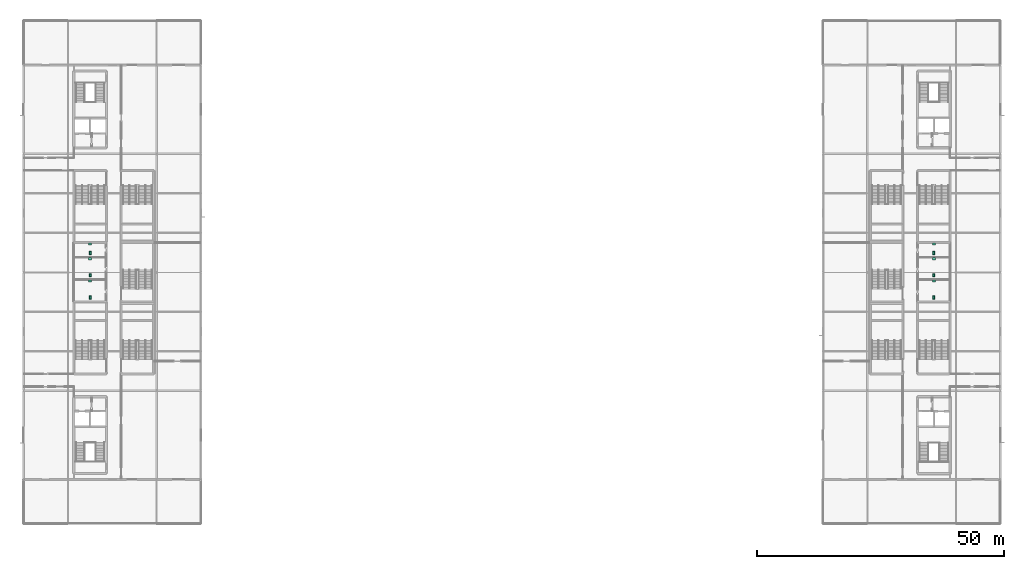
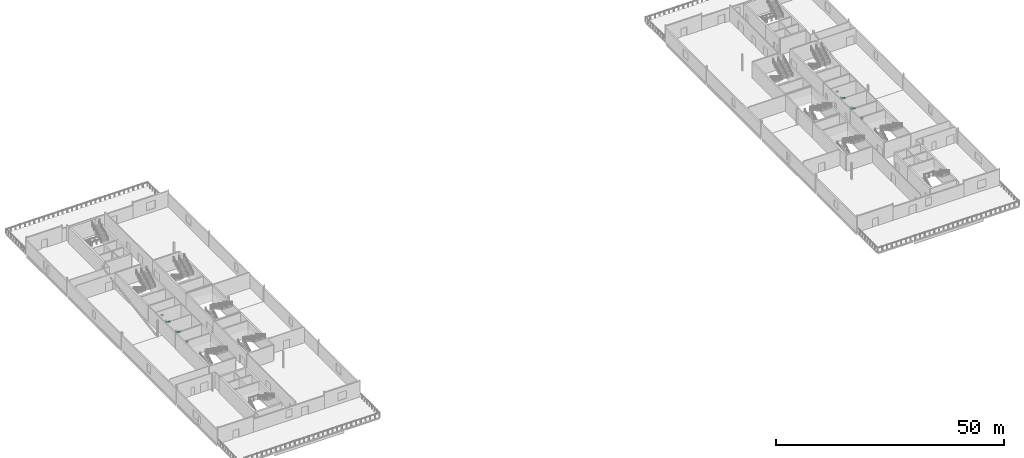
# One storey, part 28 of 28: 12 sanitary terminals.
"""IFC4 building model written with IfcOpenShell, lengths in metres."""

from ifc_helpers import new_model, si_unit, direction, frame, origin, origin_2d, place, context, subcontext, project, spatial, rectangle, extrude, material, type_object, element, save


model = new_model("IFC4")

# Units and contexts
model_context = context("Model", 3, precision=1e-05, world=origin(), true_north=direction((0.0, 1.0)))
body_context = subcontext(model_context, "Body", "Model", "MODEL_VIEW")
ifc_project = project(units=[si_unit("LENGTHUNIT", "METRE"), si_unit("AREAUNIT", "SQUARE_METRE"), si_unit("VOLUMEUNIT", "CUBIC_METRE"), si_unit("PLANEANGLEUNIT", "RADIAN"), si_unit("MASSUNIT", "GRAM", prefix="KILO")], contexts=[model_context])

# Site, building, storey
site_placement = place(None, origin())
site = spatial("IfcSite", under=ifc_project, at=site_placement, CompositionType="ELEMENT")
building_placement = place(site_placement, origin())
building = spatial("IfcBuilding", under=site, at=building_placement, Name="Kisiwana Market Hall", CompositionType="ELEMENT")
storey_placement = place(building_placement, frame((0.0, 0.0, 49.5)))
storey = spatial("IfcBuildingStorey", under=building, at=storey_placement, Name="L11", CompositionType="ELEMENT", Elevation=49.5)

# Sanitary terminals
ifc_material_1 = material(Name="Vitreous china")
sanitary_terminal_type_1 = type_object("IfcSanitaryTerminalType", Name="SAN-BASIN", PredefinedType="WASHHANDBASIN", material=ifc_material_1)
for number, where, z_axis, x_axis, name in (
    (1, (13.5, 58.25, 0.68017578125), (0.0, 0.0, 1.0), (1.0, 0.0, 0.0), "Washhand basin L11-0073"),
    (2, (13.5, 62.75, 0.68017578125), (0.0, 0.0, 1.0), (1.0, 0.0, 0.0), "Washhand basin L11-0074"),
    (3, (13.5, 65.75, 0.68017578125), (0.0, 0.0, 1.0), (1.0, 0.0, 0.0), "Washhand basin L11-0075"),
    (4, (184.5, 58.25, 0.68017578125), (0.0, 0.0, 1.0), (1.0, 0.0, 0.0), "Washhand basin L11-0076"),
    (5, (184.5, 62.75, 0.68017578125), (0.0, 0.0, 1.0), (1.0, 0.0, 0.0), "Washhand basin L11-0077"),
    (6, (184.5, 65.75, 0.68017578125), (0.0, 0.0, 1.0), (1.0, 0.0, 0.0), "Washhand basin L11-0078"),
):
    element("IfcSanitaryTerminal", number, at=place(storey_placement, frame(where, z_axis=z_axis, x_axis=x_axis)), inside=storey, type_object=sanitary_terminal_type_1, Name=name, PredefinedType="WASHHANDBASIN", context=body_context, shape_type="SweptSolid", body=[
        extrude(rectangle(XDim=0.550048828125, YDim=0.449951171875, at=origin_2d()), origin(), (0.0, 0.0, 1.0), 0.199951171875),
    ])
ifc_material_2 = material(Name="Vitreous china")
sanitary_terminal_type_2 = type_object("IfcSanitaryTerminalType", Name="SAN-WC-PAN", PredefinedType="TOILETPAN", material=ifc_material_2)
for number, where, z_axis, x_axis, name in (
    (7, (13.5, 54.89990234375, 0.0), (0.0, 0.0, 1.0), (1.0, 0.0, 0.0), "WC pan L11-0073"),
    (8, (13.5, 59.39990234375, 0.0), (0.0, 0.0, 1.0), (1.0, 0.0, 0.0), "WC pan L11-0074"),
    (9, (13.5, 63.89990234375, 0.0), (0.0, 0.0, 1.0), (1.0, 0.0, 0.0), "WC pan L11-0075"),
    (10, (184.5, 54.89990234375, 0.0), (0.0, 0.0, 1.0), (1.0, 0.0, 0.0), "WC pan L11-0076"),
    (11, (184.5, 59.39990234375, 0.0), (0.0, 0.0, 1.0), (1.0, 0.0, 0.0), "WC pan L11-0077"),
    (12, (184.5, 63.89990234375, 0.0), (0.0, 0.0, 1.0), (1.0, 0.0, 0.0), "WC pan L11-0078"),
):
    element("IfcSanitaryTerminal", number, at=place(storey_placement, frame(where, z_axis=z_axis, x_axis=x_axis)), inside=storey, type_object=sanitary_terminal_type_2, Name=name, PredefinedType="TOILETPAN", context=body_context, shape_type="SweptSolid", body=[
        extrude(rectangle(XDim=0.39990234375, YDim=0.64990234375, at=origin_2d()), origin(), (0.0, 0.0, 1.0), 0.419921875),
    ])

save(model, "model.ifc")
